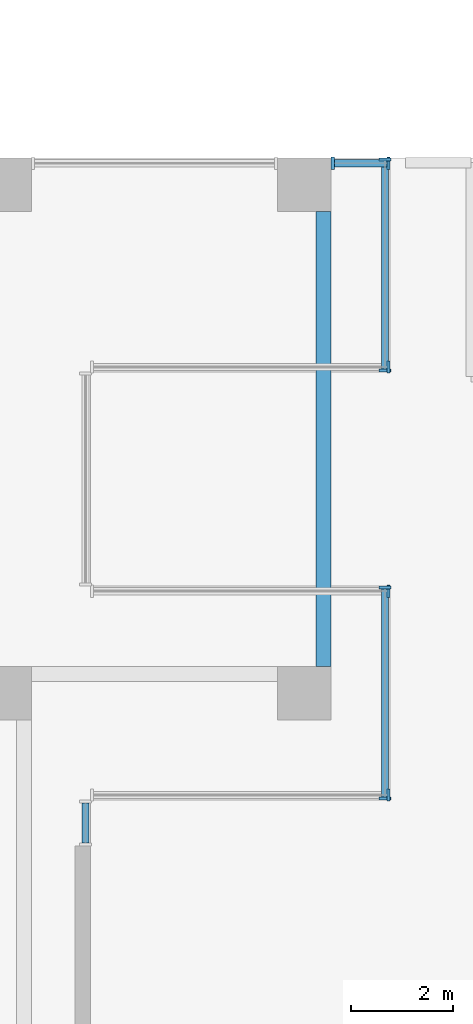
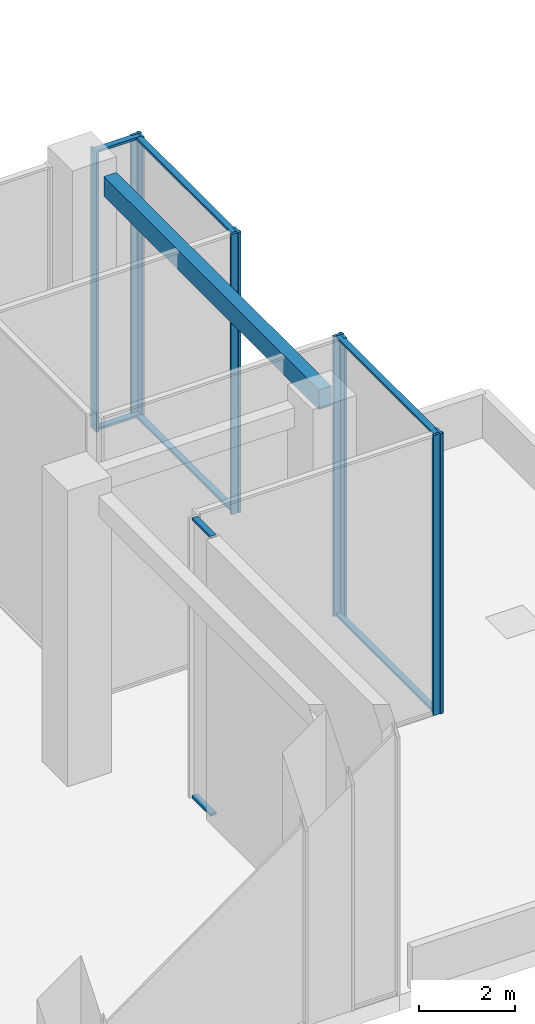
# One storey, part 7 of 18: 18 members, 7 elements without a shape of their own.
"""IFC4 building model written with IfcOpenShell, lengths in metres."""

from ifc_helpers import new_model, si_unit, direction, frame, origin, origin_2d, place, context, subcontext, project, spatial, rectangle, extrude, source, transform, mapped, material, layer, layer_set, material_profile, profile_set, type_object, element, aggregate, save


model = new_model("IFC4")

# Units and contexts
model_context = context("Model", 3, precision=1e-05, world=origin(), true_north=direction((0.0, 1.0)))
body_context = subcontext(model_context, "Body", "Model", "MODEL_VIEW")
ifc_project = project(units=[si_unit("LENGTHUNIT", "METRE"), si_unit("AREAUNIT", "SQUARE_METRE"), si_unit("VOLUMEUNIT", "CUBIC_METRE"), si_unit("PLANEANGLEUNIT", "RADIAN"), si_unit("MASSUNIT", "GRAM", prefix="KILO")], contexts=[model_context])

# Site, building, storey
site_placement = place(None, origin())
site = spatial("IfcSite", under=ifc_project, at=site_placement, CompositionType="ELEMENT")
building_placement = place(site_placement, origin())
building = spatial("IfcBuilding", under=site, at=building_placement, Name="Aurelian Terraces", CompositionType="ELEMENT")
storey_placement = place(building_placement, frame((0.0, 0.0, 170.3)))
storey = spatial("IfcBuildingStorey", under=building, at=storey_placement, Name="L37", CompositionType="ELEMENT", Elevation=170.3)

# Curtain wall, member
ifc_material_1 = material(Name="Anodised aluminium and clear glazing", Category="aluminium")
ifc_layer = layer(ifc_material_1, 0.2)
ifc_layer_set = layer_set([ifc_layer], Name="Lobby glazing curtain wall")
curtain_wall_type = type_object("IfcCurtainWallType", Name="Lobby glazing curtain wall", PredefinedType="NOTDEFINED", material=ifc_layer_set)
curtain_wall_1_placement = place(storey_placement, origin())
curtain_wall_1 = element("IfcCurtainWall", 1, at=curtain_wall_1_placement, inside=storey, type_object=curtain_wall_type, Name="Lobby glazing L37 F02.3", PredefinedType="NOTDEFINED")
ifc_material_2 = material(Name="Anodised aluminium", Category="aluminium")
ifc_material_profile_1 = material_profile(ifc_material_2, rectangle(XDim=0.14, YDim=0.06, at=origin_2d()))
ifc_profile_set_1 = profile_set([ifc_material_profile_1], Name="Anodised aluminium")
member_type_1 = type_object("IfcMemberType", Name="Lobby glazing transom", PredefinedType="USERDEFINED", material=ifc_profile_set_1)
member_1_placement = place(storey_placement, frame((59.54, 7.56, 0.03), z_axis=(0.0, 1.0, 0.0), x_axis=(-1.0, 0.0, 0.0)))
member_1 = element("IfcMember", 2, at=member_1_placement, type_object=member_type_1, Name="CW2 transom 1.1", ObjectType="TRANSOM", PredefinedType="USERDEFINED", context=body_context, shape_type="SweptSolid", body=[
    extrude(rectangle(XDim=0.14, YDim=0.06, at=origin_2d()), origin(), (0.0, 0.0, 1.0), 0.78),
])

curtain_wall_2_placement = place(storey_placement, origin())
curtain_wall_2 = element("IfcCurtainWall", 3, at=curtain_wall_2_placement, inside=storey, type_object=curtain_wall_type, Name="Lobby glazing L37 F04.1", PredefinedType="NOTDEFINED")
member_2_placement = place(storey_placement, frame((65.42, 8.46, 0.03), z_axis=(0.0, 1.0, 0.0), x_axis=(-1.0, 0.0, 0.0)))
member_2 = element("IfcMember", 4, at=member_2_placement, type_object=member_type_1, Name="CW2 transom 1.1", ObjectType="TRANSOM", PredefinedType="USERDEFINED", context=body_context, shape_type="SweptSolid", body=[
    extrude(rectangle(XDim=0.14, YDim=0.06, at=origin_2d()), origin(), (0.0, 0.0, 1.0), 4.08),
])

# Member
ifc_material_3 = material(Name="Concrete fc' 40 MPa", Category="concrete")
ifc_material_profile_2 = material_profile(ifc_material_3, rectangle(XDim=0.3, YDim=0.5, at=origin_2d()))
ifc_profile_set_2 = profile_set([ifc_material_profile_2], Name="Concrete fc' 40 MPa")
member_type_2 = type_object("IfcMemberType", Name="CONCRETE EDGE BEAM 300X500", PredefinedType="MEMBER", material=ifc_profile_set_2)
shared_shape_1 = source(origin(), body_context, "Body", "SweptSolid", [
    extrude(rectangle(XDim=0.3, YDim=0.5, at=origin_2d()), origin(), (0.0, 0.0, 1.0), 8.925),
])
member_3_placement = place(storey_placement, frame((64.215, 11.025, 6.85), z_axis=(0.0, 1.0, 0.0), x_axis=(-1.0, 0.0, 0.0)))
element("IfcMember", 5, at=member_3_placement, inside=storey, type_object=member_type_2, Name="Terrace edge member L38-X2.2", PredefinedType="MEMBER", context=body_context, shape_type="MappedRepresentation", body=[
    mapped(shared_shape_1, transform((0.0, 0.0, 0.0), scale=1.0)),
])

# Curtain wall, member
curtain_wall_3_placement = place(storey_placement, origin())
curtain_wall_3 = element("IfcCurtainWall", 6, at=curtain_wall_3_placement, inside=storey, type_object=curtain_wall_type, Name="Lobby glazing L37 F03.1", PredefinedType="NOTDEFINED")
ifc_material_profile_3 = material_profile(ifc_material_2, rectangle(XDim=0.24, YDim=0.06, at=origin_2d()))
ifc_profile_set_3 = profile_set([ifc_material_profile_3], Name="Anodised aluminium")
member_type_3 = type_object("IfcMemberType", Name="Lobby glazing mullion", PredefinedType="MULLION", material=ifc_profile_set_3)
shared_shape_2 = source(origin(), body_context, "Body", "SweptSolid", [
    extrude(rectangle(XDim=0.24, YDim=0.06, at=origin_2d()), origin(), (0.0, 0.0, 1.0), 7.1),
])
member_4_placement = place(storey_placement, frame((65.49, 8.5, 0.0), z_axis=(0.0, 0.0, 1.0), x_axis=(0.0, 1.0, 0.0)))
member_4 = element("IfcMember", 7, at=member_4_placement, type_object=member_type_3, Name="CW2 mullion 2", PredefinedType="MULLION", context=body_context, shape_type="MappedRepresentation", body=[
    mapped(shared_shape_2, transform((0.0, 0.0, 0.0), scale=1.0)),
])
aggregate(curtain_wall_3, [member_4])

# Member
member_5_placement = place(storey_placement, frame((65.42, 8.43, 0.0), z_axis=(0.0, 0.0, 1.0), x_axis=(-1.0, 0.0, 0.0)))
member_5 = element("IfcMember", 8, at=member_5_placement, type_object=member_type_3, Name="CW2 mullion 1", PredefinedType="MULLION", context=body_context, shape_type="MappedRepresentation", body=[
    mapped(shared_shape_2, transform((0.0, 0.0, 0.0), scale=1.0)),
])

member_6_placement = place(storey_placement, frame((65.42, 12.57, 0.0), z_axis=(0.0, 0.0, 1.0), x_axis=(-1.0, 0.0, 0.0)))
member_6 = element("IfcMember", 9, at=member_6_placement, type_object=member_type_3, Name="CW2 mullion 2", PredefinedType="MULLION", context=body_context, shape_type="MappedRepresentation", body=[
    mapped(shared_shape_2, transform((0.0, 0.0, 0.0), scale=1.0)),
])

# Curtain wall, member
curtain_wall_4_placement = place(storey_placement, origin())
curtain_wall_4 = element("IfcCurtainWall", 10, at=curtain_wall_4_placement, inside=storey, type_object=curtain_wall_type, Name="Lobby glazing L37 F05.1", PredefinedType="NOTDEFINED")
member_7_placement = place(storey_placement, frame((65.49, 12.5, 0.0), z_axis=(0.0, 0.0, 1.0), x_axis=(0.0, -1.0, 0.0)))
member_7 = element("IfcMember", 11, at=member_7_placement, type_object=member_type_3, Name="CW2 mullion 1", PredefinedType="MULLION", context=body_context, shape_type="MappedRepresentation", body=[
    mapped(shared_shape_2, transform((0.0, 0.0, 0.0), scale=1.0)),
])
aggregate(curtain_wall_4, [member_7])

curtain_wall_5_placement = place(storey_placement, origin())
curtain_wall_5 = element("IfcCurtainWall", 12, at=curtain_wall_5_placement, inside=storey, type_object=curtain_wall_type, Name="Lobby glazing L37 F07.1", PredefinedType="NOTDEFINED")
member_8_placement = place(storey_placement, frame((65.49, 16.9, 0.0), z_axis=(0.0, 0.0, 1.0), x_axis=(0.0, 1.0, 0.0)))
member_8 = element("IfcMember", 13, at=member_8_placement, type_object=member_type_3, Name="CW2 mullion 2", PredefinedType="MULLION", context=body_context, shape_type="MappedRepresentation", body=[
    mapped(shared_shape_2, transform((0.0, 0.0, 0.0), scale=1.0)),
])
aggregate(curtain_wall_5, [member_8])

# Curtain wall, members
curtain_wall_6_placement = place(storey_placement, origin())
curtain_wall_6 = element("IfcCurtainWall", 14, at=curtain_wall_6_placement, inside=storey, type_object=curtain_wall_type, Name="Lobby glazing L37 F08.1", PredefinedType="NOTDEFINED")
member_9_placement = place(storey_placement, frame((65.42, 16.83, 0.0), z_axis=(0.0, 0.0, 1.0), x_axis=(-1.0, 0.0, 0.0)))
member_9 = element("IfcMember", 15, at=member_9_placement, type_object=member_type_3, Name="CW2 mullion 1", PredefinedType="MULLION", context=body_context, shape_type="MappedRepresentation", body=[
    mapped(shared_shape_2, transform((0.0, 0.0, 0.0), scale=1.0)),
])
member_10_placement = place(storey_placement, frame((65.42, 20.97, 0.0), z_axis=(0.0, 0.0, 1.0), x_axis=(-1.0, 0.0, 0.0)))
member_10 = element("IfcMember", 16, at=member_10_placement, type_object=member_type_3, Name="CW2 mullion 2", PredefinedType="MULLION", context=body_context, shape_type="MappedRepresentation", body=[
    mapped(shared_shape_2, transform((0.0, 0.0, 0.0), scale=1.0)),
])

curtain_wall_7_placement = place(storey_placement, origin())
curtain_wall_7 = element("IfcCurtainWall", 17, at=curtain_wall_7_placement, inside=storey, type_object=curtain_wall_type, Name="Lobby glazing L37 F09.1", PredefinedType="NOTDEFINED")
member_11_placement = place(storey_placement, frame((65.49, 20.9, 0.0), z_axis=(0.0, 0.0, 1.0), x_axis=(0.0, -1.0, 0.0)))
member_11 = element("IfcMember", 18, at=member_11_placement, type_object=member_type_3, Name="CW2 mullion 1", PredefinedType="MULLION", context=body_context, shape_type="MappedRepresentation", body=[
    mapped(shared_shape_2, transform((0.0, 0.0, 0.0), scale=1.0)),
])
member_12_placement = place(storey_placement, frame((64.395, 20.9, 0.0), z_axis=(0.0, 0.0, 1.0), x_axis=(0.0, -1.0, 0.0)))
member_12 = element("IfcMember", 19, at=member_12_placement, type_object=member_type_3, Name="CW2 mullion 2", PredefinedType="MULLION", context=body_context, shape_type="MappedRepresentation", body=[
    mapped(shared_shape_2, transform((0.0, 0.0, 0.0), scale=1.0)),
])
shared_shape_3 = source(origin(), body_context, "Body", "SweptSolid", [
    extrude(rectangle(XDim=0.14, YDim=0.06, at=origin_2d()), origin(), (0.0, 0.0, 1.0), 1.035),
])
member_13_placement = place(storey_placement, frame((65.46, 20.9, 0.03), z_axis=(-1.0, 0.0, 0.0), x_axis=(0.0, -1.0, 0.0)))
member_13 = element("IfcMember", 20, at=member_13_placement, type_object=member_type_1, Name="CW2 transom 1.1", ObjectType="TRANSOM", PredefinedType="USERDEFINED", context=body_context, shape_type="MappedRepresentation", body=[
    mapped(shared_shape_3, transform((0.0, 0.0, 0.0), scale=1.0)),
])
member_14_placement = place(storey_placement, frame((65.46, 20.9, 7.07), z_axis=(-1.0, 0.0, 0.0), x_axis=(0.0, -1.0, 0.0)))
member_14 = element("IfcMember", 21, at=member_14_placement, type_object=member_type_1, Name="CW2 transom 1.2", ObjectType="TRANSOM", PredefinedType="USERDEFINED", context=body_context, shape_type="MappedRepresentation", body=[
    mapped(shared_shape_3, transform((0.0, 0.0, 0.0), scale=1.0)),
])
aggregate(curtain_wall_7, [member_11, member_12, member_13, member_14])

# Member
shared_shape_4 = source(origin(), body_context, "Body", "SweptSolid", [
    extrude(rectangle(XDim=0.14, YDim=0.06, at=origin_2d()), origin(), (0.0, 0.0, 1.0), 0.78),
])
member_15_placement = place(storey_placement, frame((59.54, 7.56, 7.07), z_axis=(0.0, 1.0, 0.0), x_axis=(-1.0, 0.0, 0.0)))
member_15 = element("IfcMember", 22, at=member_15_placement, type_object=member_type_1, Name="CW2 transom 1.2", ObjectType="TRANSOM", PredefinedType="USERDEFINED", context=body_context, shape_type="MappedRepresentation", body=[
    mapped(shared_shape_4, transform((0.0, 0.0, 0.0), scale=1.0)),
])

aggregate(curtain_wall_1, [member_1, member_15])

shared_shape_5 = source(origin(), body_context, "Body", "SweptSolid", [
    extrude(rectangle(XDim=0.14, YDim=0.06, at=origin_2d()), origin(), (0.0, 0.0, 1.0), 4.08),
])
member_16_placement = place(storey_placement, frame((65.42, 8.46, 7.07), z_axis=(0.0, 1.0, 0.0), x_axis=(-1.0, 0.0, 0.0)))
member_16 = element("IfcMember", 23, at=member_16_placement, type_object=member_type_1, Name="CW2 transom 1.2", ObjectType="TRANSOM", PredefinedType="USERDEFINED", context=body_context, shape_type="MappedRepresentation", body=[
    mapped(shared_shape_5, transform((0.0, 0.0, 0.0), scale=1.0)),
])

aggregate(curtain_wall_2, [member_5, member_6, member_2, member_16])

member_17_placement = place(storey_placement, frame((65.42, 16.86, 0.03), z_axis=(0.0, 1.0, 0.0), x_axis=(-1.0, 0.0, 0.0)))
member_17 = element("IfcMember", 24, at=member_17_placement, type_object=member_type_1, Name="CW2 transom 1.1", ObjectType="TRANSOM", PredefinedType="USERDEFINED", context=body_context, shape_type="MappedRepresentation", body=[
    mapped(shared_shape_5, transform((0.0, 0.0, 0.0), scale=1.0)),
])

member_18_placement = place(storey_placement, frame((65.42, 16.86, 7.07), z_axis=(0.0, 1.0, 0.0), x_axis=(-1.0, 0.0, 0.0)))
member_18 = element("IfcMember", 25, at=member_18_placement, type_object=member_type_1, Name="CW2 transom 1.2", ObjectType="TRANSOM", PredefinedType="USERDEFINED", context=body_context, shape_type="MappedRepresentation", body=[
    mapped(shared_shape_5, transform((0.0, 0.0, 0.0), scale=1.0)),
])

aggregate(curtain_wall_6, [member_9, member_10, member_17, member_18])

save(model, "model.ifc")
